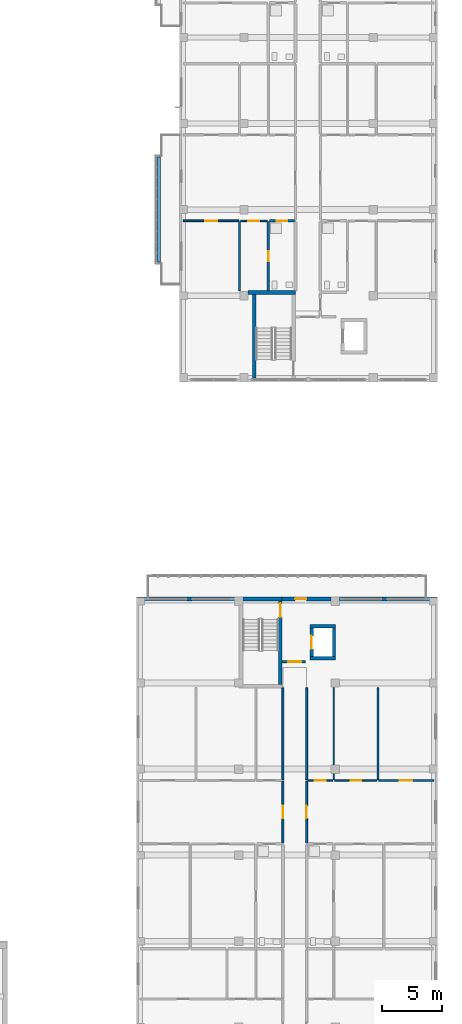
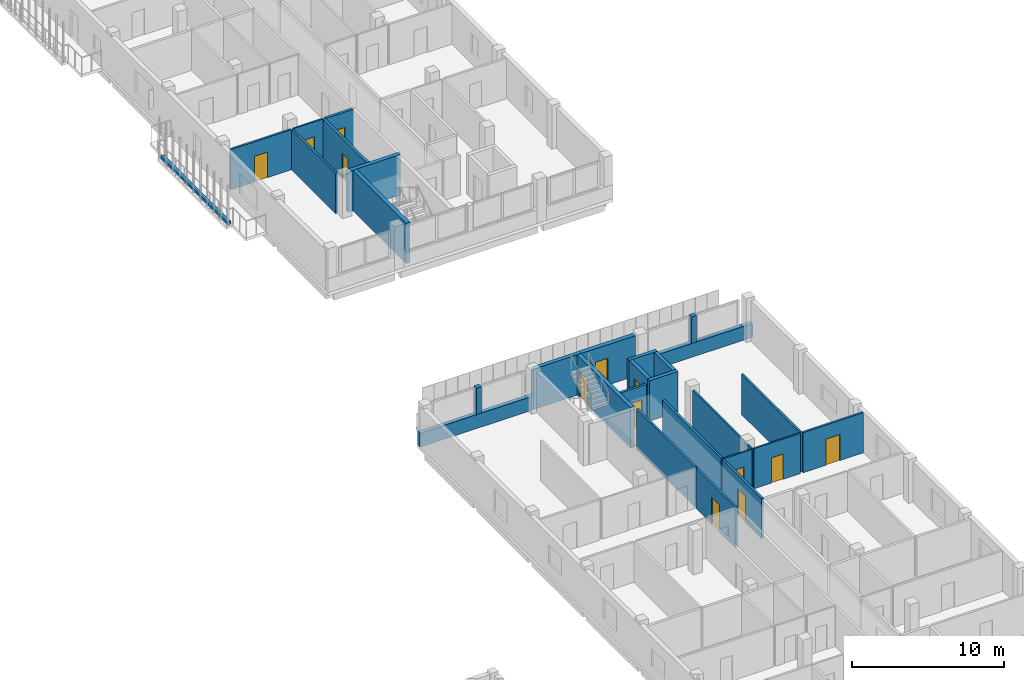
# One storey, part 48 of 73: 29 walls, 13 doors, 13 openings.
"""IFC4 building model written with IfcOpenShell, lengths in metres."""

import ifcopenshell
import ifcopenshell.guid

model = None  # the IFC model being written
_history = None  # IfcOwnerHistory: only IFC2X3 demands one
_inside = {}  # id of a spatial element -> (the spatial element, [elements in it])
_under = {}  # id of a project, library or spatial element -> (it, [spatial elements below it])
_declared = {}  # id of a project -> (the project, [libraries it declares])
_typed = {}  # id of a type object -> (the type object, [elements of that type])
_made_of = {}  # id of a material, layer set ... -> (it, [elements and type objects made of it])


def new_model(schema):
    """Start an empty IFC model of exactly this schema.

    Asked for "IFC4X3", IfcOpenShell would pick the latest addendum, in which some entities
    have other attributes; the version numbers below select the first issue.
    IFC2X3 requires an IfcOwnerHistory on every rooted entity: one is made here for all.
    """
    global model, _history
    if schema == "IFC4X3":
        model = ifcopenshell.file(schema_version=(4, 3, 0, 0))
    else:
        model = ifcopenshell.file(schema=schema)
    _inside.clear()
    _under.clear()
    _declared.clear()
    _typed.clear()
    _made_of.clear()
    _history = None
    if model.schema == "IFC2X3":
        org = make("IfcOrganization", Name="unknown")
        user = make(
            "IfcPersonAndOrganization",
            ThePerson=make("IfcPerson", FamilyName="unknown"),
            TheOrganization=org,
        )
        app = make(
            "IfcApplication",
            ApplicationDeveloper=org,
            Version="unknown",
            ApplicationFullName="unknown",
            ApplicationIdentifier="unknown",
        )
        _history = make(
            "IfcOwnerHistory",
            OwningUser=user,
            OwningApplication=app,
            ChangeAction="ADDED",
            CreationDate=0,
        )
    return model


def make(cls, **values):
    """One entity of the class cls with the attributes given. An attribute that is None is left unset."""
    return model.create_entity(
        cls, **{name: value for name, value in values.items() if value is not None}
    )


def rooted(cls, **values):
    """An entity with a GlobalId (a new one), such as an element, a storey or a relation."""
    return make(cls, GlobalId=ifcopenshell.guid.new(), OwnerHistory=_history, **values)


def si_unit(unit_type, name, prefix=None):
    """IfcSIUnit, for example si_unit("LENGTHUNIT", "METRE", prefix="MILLI")."""
    return make("IfcSIUnit", UnitType=unit_type, Prefix=prefix, Name=name)


def derived_unit(unit_type, elements):
    """IfcDerivedUnit: a product of units, each with its exponent."""
    return make(
        "IfcDerivedUnit",
        Elements=[
            make("IfcDerivedUnitElement", Unit=unit, Exponent=power)
            for unit, power in elements
        ],
        UnitType=unit_type,
    )


def assignment(units):
    """IfcUnitAssignment: the units of a project."""
    return None if units is None else make("IfcUnitAssignment", Units=units)


def point(xyz):
    """IfcCartesianPoint."""
    return None if xyz is None else make("IfcCartesianPoint", Coordinates=xyz)


def direction(xyz):
    """IfcDirection."""
    return None if xyz is None else make("IfcDirection", DirectionRatios=xyz)


def frame(location, z_axis=None, x_axis=None):
    """IfcAxis2Placement3D, a coordinate frame: its origin and axes. An axis left out is left unset."""
    return make(
        "IfcAxis2Placement3D",
        Location=point(location),
        Axis=direction(z_axis),
        RefDirection=direction(x_axis),
    )


def frame_2d(location, x_axis=None):
    """IfcAxis2Placement2D, a coordinate frame in the plane: its origin and x axis."""
    return make(
        "IfcAxis2Placement2D", Location=point(location), RefDirection=direction(x_axis)
    )


def origin():
    """The frame at (0, 0, 0) with its axes left unset."""
    return frame((0.0, 0.0, 0.0))


def place(relative_to, where):
    """IfcLocalPlacement: puts the frame where relative to a parent placement (None: the world)."""
    return make(
        "IfcLocalPlacement", PlacementRelTo=relative_to, RelativePlacement=where
    )


def context(
    kind, dimensions, precision=None, world=None, true_north=None, identifier=None
):
    """IfcGeometricRepresentationContext, for example the 3D "Model" context."""
    return make(
        "IfcGeometricRepresentationContext",
        ContextIdentifier=identifier,
        ContextType=kind,
        CoordinateSpaceDimension=dimensions,
        Precision=precision,
        WorldCoordinateSystem=world,
        TrueNorth=true_north,
    )


def subcontext(parent, identifier, kind, view, scale=None):
    """IfcGeometricRepresentationSubContext, for example "Body" below "Model"."""
    return make(
        "IfcGeometricRepresentationSubContext",
        ContextIdentifier=identifier,
        ContextType=kind,
        ParentContext=parent,
        TargetScale=scale,
        TargetView=view,
    )


def project(units=None, contexts=None):
    """IfcProject with its units and contexts."""
    return rooted(
        "IfcProject",
        Name="project",
        RepresentationContexts=contexts,
        UnitsInContext=assignment(units),
    )


def spatial(cls, under=None, at=None, **own):
    """A site, building, storey or space (cls), placed at a placement, below another one or the project."""
    s = rooted(cls, ObjectPlacement=at, **own)
    if under is not None:
        _under.setdefault(under.id(), (under, []))[1].append(s)
    return s


def profile(cls, at=None, kind="AREA", **sizes):
    """A parametric profile (cls). Its sizes go by their IFC names, for example OverallWidth=200.0."""
    return make(cls, ProfileType=kind, Position=at, **sizes)


def rectangle(**sizes):
    """IfcRectangleProfileDef."""
    return profile("IfcRectangleProfileDef", **sizes)


def extrude(swept, where, along, depth):
    """IfcExtrudedAreaSolid: the profile swept, set in the frame where, extruded along a direction by depth."""
    return make(
        "IfcExtrudedAreaSolid",
        SweptArea=swept,
        Position=where,
        ExtrudedDirection=direction(along),
        Depth=depth,
    )


def shape(context_of_items, identifier, shape_type, items):
    """IfcShapeRepresentation: the items that make up one representation, for example the "Body"."""
    return make(
        "IfcShapeRepresentation",
        ContextOfItems=context_of_items,
        RepresentationIdentifier=identifier,
        RepresentationType=shape_type,
        Items=items,
    )


def material(Name=None, Category=None):
    """IfcMaterial."""
    return make("IfcMaterial", Name=Name, Category=Category)


def layer(
    of_material, thickness, ventilated=None, Name=None, Category=None, Priority=None
):
    """IfcMaterialLayer: one layer of a wall or slab, of a material (None: an air gap)."""
    return make(
        "IfcMaterialLayer",
        Material=of_material,
        LayerThickness=thickness,
        IsVentilated=ventilated,
        Name=Name,
        Category=Category,
        Priority=Priority,
    )


def layer_set(layers, Name=None):
    """IfcMaterialLayerSet."""
    return make("IfcMaterialLayerSet", MaterialLayers=layers, LayerSetName=Name)


def made_of(thing, what):
    """Note that an element or type object is made of a material, layer set ...; save() writes the relation."""
    if what is not None:
        _made_of.setdefault(what.id(), (what, []))[1].append(thing)
    return thing


def type_object(cls, material=None, **own):
    """A type object (cls), such as IfcWallType, which elements share."""
    return made_of(rooted(cls, **own), material)


def element(
    cls,
    number,
    at=None,
    inside=None,
    cuts=None,
    type_object=None,
    material=None,
    context=None,
    identifier="Body",
    shape_type=None,
    held_by="IfcProductDefinitionShape",
    body=None,
    shapes=None,
    **own,
):
    """One element of the class cls, such as IfcWall. Its Tag is "e" and its number.

    at: its placement. inside: the storey or other place that contains it. cuts: it is an
    opening in that element (IfcRelVoidsElement). A single representation is given by context,
    identifier, shape_type and body (its items); several are given by shapes. held_by: the class
    of the entity that holds the representations. save() writes the other relations.
    """
    e = rooted(cls, Tag="e%d" % number, ObjectPlacement=at, **own)
    if body is not None:
        shapes = [shape(context, identifier, shape_type, body)]
    if shapes is not None:
        e.Representation = make(held_by, Representations=shapes)
    if inside is not None:
        _inside.setdefault(inside.id(), (inside, []))[1].append(e)
    if cuts is not None:
        rooted(
            "IfcRelVoidsElement", RelatingBuildingElement=cuts, RelatedOpeningElement=e
        )
    if type_object is not None:
        _typed.setdefault(type_object.id(), (type_object, []))[1].append(e)
    return made_of(e, material)


def fill(opening, filler):
    """IfcRelFillsElement: the door or window that sits in an opening."""
    return rooted(
        "IfcRelFillsElement",
        RelatingOpeningElement=opening,
        RelatedBuildingElement=filler,
    )


def aggregate(whole, parts):
    """IfcRelAggregates: a whole, such as a stair, and the parts it consists of."""
    return rooted("IfcRelAggregates", RelatingObject=whole, RelatedObjects=parts)


def save(model, path):
    """Write the relations noted so far, then the file.

    IfcRelAggregates (storeys below a building ...), IfcRelContainedInSpatialStructure (elements
    in a storey), IfcRelDefinesByType, IfcRelAssociatesMaterial and IfcRelDeclares: one each for
    every whole, place, type object, material and project.
    """
    for whole, parts in _under.values():
        aggregate(whole, parts)
    for where, things in _inside.values():
        rooted(
            "IfcRelContainedInSpatialStructure",
            RelatedElements=things,
            RelatingStructure=where,
        )
    for kind, things in _typed.values():
        rooted("IfcRelDefinesByType", RelatedObjects=things, RelatingType=kind)
    for what, things in _made_of.values():
        rooted("IfcRelAssociatesMaterial", RelatedObjects=things, RelatingMaterial=what)
    for by, libraries in _declared.values():
        rooted("IfcRelDeclares", RelatingContext=by, RelatedDefinitions=libraries)
    model.write(path)


model = new_model("IFC4")

# Units and contexts
model_context = context("Model", 3, precision=1e-05, world=origin(), true_north=direction((0.0, 1.0)))
body_context = subcontext(model_context, "Body", "Model", "MODEL_VIEW")
ifc_project = project(units=[si_unit("LENGTHUNIT", "METRE"), si_unit("AREAUNIT", "SQUARE_METRE"), si_unit("VOLUMEUNIT", "CUBIC_METRE"), si_unit("PLANEANGLEUNIT", "RADIAN"), si_unit("MASSUNIT", "GRAM", prefix="KILO"), derived_unit("THERMALTRANSMITTANCEUNIT", [(si_unit("MASSUNIT", "GRAM", prefix="KILO"), 1), (si_unit("TIMEUNIT", "SECOND"), -3), (si_unit("THERMODYNAMICTEMPERATUREUNIT", "KELVIN"), -1)])], contexts=[model_context])

# Site, building, storey
site_placement = place(None, origin())
site = spatial("IfcSite", under=ifc_project, at=site_placement, CompositionType="ELEMENT")
building_placement = place(site_placement, origin())
building = spatial("IfcBuilding", under=site, at=building_placement, Name="Ochrekiln Boulevard Commons", CompositionType="ELEMENT")
storey_placement = place(building_placement, frame((0.0, 0.0, 8.574951171875)))
storey = spatial("IfcBuildingStorey", under=building, at=storey_placement, Name="L02", CompositionType="ELEMENT", Elevation=8.574951171875)

# Walls
ifc_material_1 = material(Name="Desert ochre clinker brick masonry ASTM C216 Grade SW", Category="masonry")
ifc_layer_1 = layer(ifc_material_1, 0.330078125)
ifc_layer_set_1 = layer_set([ifc_layer_1], Name="Desert ochre clinker brick masonry ASTM C216 Grade SW")
wall_type_1 = type_object("IfcWallType", Name="WL-EXT-OCHRE-330", PredefinedType="SOLIDWALL", material=ifc_layer_set_1)
wall_1_placement = place(storey_placement, frame((151.8701171875, 50.235107421875, 1.110107421875), z_axis=(0.0, 0.0, 1.0), x_axis=(1.0, 0.0, 0.0)))
element("IfcWall", 1, at=wall_1_placement, inside=storey, type_object=wall_type_1, Name="Block C L02 Courtyard Gable Mullion Pier", PredefinedType="SOLIDWALL", context=body_context, shape_type="SweptSolid", body=[
    extrude(rectangle(XDim=0.35986328125, YDim=0.330078125, at=frame_2d((0.179931640625, 0.0))), origin(), (0.0, 0.0, 1.0), 2.1298828125),
])
wall_2_placement = place(storey_placement, frame((168.169921875, 50.235107421875, 1.110107421875), z_axis=(0.0, 0.0, 1.0), x_axis=(1.0, 0.0, 0.0)))
element("IfcWall", 2, at=wall_2_placement, inside=storey, type_object=wall_type_1, Name="Block C L02 Courtyard Gable Mullion Pier", PredefinedType="SOLIDWALL", context=body_context, shape_type="SweptSolid", body=[
    extrude(rectangle(XDim=0.360107421875, YDim=0.330078125, at=frame_2d((0.18017578125, 0.0))), origin(), (0.0, 0.0, 1.0), 2.1298828125),
])

# Wall, opening, door
wall_3_placement = place(storey_placement, frame((159.800048828125, 50.235107421875, 0.0), z_axis=(0.0, 0.0, 1.0), x_axis=(1.0, 0.0, 0.0)))
wall_3 = element("IfcWall", 3, at=wall_3_placement, inside=storey, type_object=wall_type_1, Name="Block C L02 North Balcony Door Wall", PredefinedType="SOLIDWALL", context=body_context, shape_type="SweptSolid", body=[
    extrude(rectangle(XDim=4.099853515625, YDim=0.330078125, at=frame_2d((2.0498046875, 0.0))), origin(), (0.0, 0.0, 1.0), 3.239990234375),
])
opening_1_placement = place(wall_3_placement, frame((1.074951171875, 0.0, 0.0)))
opening_1 = element("IfcOpeningElement", 4, at=opening_1_placement, cuts=wall_3, Name="Opening D-L02-CBL", PredefinedType="OPENING", context=body_context, shape_type="SweptSolid", body=[
    extrude(rectangle(XDim=0.949951171875, YDim=2.14990234375, at=frame_2d((0.47509765625, 1.074951171875))), frame((0.0, 0.175048828125, 0.0), z_axis=(0.0, -1.0, 0.0), x_axis=(1.0, 0.0, 0.0)), (0.0, 0.0, 1.0), 0.35009765625),
])
ifc_material_2 = material(Name="Thermally broken aluminium-clad oak frame", Category="aluminium")
door_type_1 = type_object("IfcDoorType", Name="DR-EXT-BAL-095", OperationType="NOTDEFINED", PredefinedType="DOOR", material=ifc_material_2)
door_1_placement = place(opening_1_placement, origin())
door_1 = element("IfcDoor", 5, at=door_1_placement, inside=storey, type_object=door_type_1, Name="Block C L02 North Courtyard Balcony Door", OperationType="SINGLE_SWING_LEFT", OverallHeight=2.14990234375, OverallWidth=0.949951171875, PredefinedType="DOOR", context=body_context, shape_type="SweptSolid", body=[
    extrude(rectangle(XDim=0.949951171875, YDim=2.14990234375, at=frame_2d((0.47509765625, 1.074951171875))), frame((0.0, 0.02490234375, 0.0), z_axis=(0.0, -1.0, 0.0), x_axis=(1.0, 0.0, 0.0)), (0.0, 0.0, 1.0), 0.050048828125),
])
fill(opening_1, door_1)

# Walls
wall_4_placement = place(storey_placement, frame((147.60009765625, 50.235107421875, 0.0), z_axis=(0.0, 0.0, 1.0), x_axis=(1.0, 0.0, 0.0)))
element("IfcWall", 6, at=wall_4_placement, inside=storey, type_object=wall_type_1, Name="Block C L02 Courtyard Gable Sill Wall L", PredefinedType="SOLIDWALL", context=body_context, shape_type="SweptSolid", body=[
    extrude(rectangle(XDim=8.599853515625, YDim=0.330078125, at=frame_2d((4.2998046875, 0.0))), origin(), (0.0, 0.0, 1.0), 1.110107421875),
])
wall_5_placement = place(storey_placement, frame((164.60009765625, 50.235107421875, 0.0), z_axis=(0.0, 0.0, 1.0), x_axis=(1.0, 0.0, 0.0)))
element("IfcWall", 7, at=wall_5_placement, inside=storey, type_object=wall_type_1, Name="Block C L02 Courtyard Gable Sill Wall R", PredefinedType="SOLIDWALL", context=body_context, shape_type="SweptSolid", body=[
    extrude(rectangle(XDim=8.199951171875, YDim=0.330078125, at=frame_2d((4.10009765625, 0.0))), origin(), (0.0, 0.0, 1.0), 1.110107421875),
])

# Wall, opening, door
ifc_material_3 = material(Name="Moisture-resistant cementitious tile backer wall")
ifc_layer_2 = layer(ifc_material_3, 0.199951171875)
ifc_layer_set_2 = layer_set([ifc_layer_2], Name="Moisture-resistant cementitious tile backer wall")
wall_type_2 = type_object("IfcWallType", Name="WL-PLM-200", PredefinedType="PLUMBINGWALL", material=ifc_layer_set_2)
wall_6_placement = place(storey_placement, frame((158.719970703125, 81.864990234375, 0.0), z_axis=(0.0, 0.0, 1.0), x_axis=(1.0, 0.0, 0.0)))
wall_6 = element("IfcWall", 8, at=wall_6_placement, inside=storey, type_object=wall_type_2, Name="L02 Interior Wall W-PW200", PredefinedType="PLUMBINGWALL", context=body_context, shape_type="SweptSolid", body=[
    extrude(rectangle(XDim=2.10693359375, YDim=0.199951171875, at=frame_2d((1.053466796875, 0.0))), origin(), (0.0, 0.0, 1.0), 3.219970703125),
])
opening_2_placement = place(wall_6_placement, frame((0.6201171875, 0.0, 0.0)))
opening_2 = element("IfcOpeningElement", 9, at=opening_2_placement, cuts=wall_6, Name="Opening D-L02-343", PredefinedType="OPENING", context=body_context, shape_type="SweptSolid", body=[
    extrude(rectangle(XDim=0.860107421875, YDim=2.0, at=frame_2d((0.43017578125, 1.0))), frame((0.0, 0.10986328125, 0.0), z_axis=(0.0, -1.0, 0.0), x_axis=(1.0, 0.0, 0.0)), (0.0, 0.0, 1.0), 0.219970703125),
])
ifc_material_4 = material(Name="Solid core architectural oak door leaf")
door_type_2 = type_object("IfcDoorType", Name="DR-INT-BTH-086", OperationType="NOTDEFINED", PredefinedType="DOOR", material=ifc_material_4)
door_2_placement = place(opening_2_placement, frame((0.860107421875, 0.0, 0.0), z_axis=(0.0, 0.0, 1.0), x_axis=(-1.0, 0.0, 0.0)))
door_2 = element("IfcDoor", 10, at=door_2_placement, inside=storey, type_object=door_type_2, Name="L02 Interior Door to Accessible Apartment Bathroom", OperationType="SINGLE_SWING_LEFT", OverallHeight=2.0, OverallWidth=0.860107421875, PredefinedType="DOOR", context=body_context, shape_type="SweptSolid", body=[
    extrude(rectangle(XDim=0.860107421875, YDim=2.0, at=frame_2d((0.43017578125, 1.0))), frame((0.0, 0.02490234375, 0.0), z_axis=(0.0, -1.0, 0.0), x_axis=(1.0, 0.0, 0.0)), (0.0, 0.0, 1.0), 0.050048828125),
])
fill(opening_2, door_2)

wall_7_placement = place(storey_placement, frame((158.639892578125, 76.0, 0.0), z_axis=(0.0, 0.0, 1.0), x_axis=(0.0, 1.0, 0.0)))
wall_7 = element("IfcWall", 11, at=wall_7_placement, inside=storey, type_object=wall_type_2, Name="L02 Interior Wall W-PW200", PredefinedType="PLUMBINGWALL", context=body_context, shape_type="SweptSolid", body=[
    extrude(rectangle(XDim=5.804931640625, YDim=0.199951171875, at=frame_2d((2.90234375, 0.0))), origin(), (0.0, 0.0, 1.0), 3.219970703125),
])
opening_3_placement = place(wall_7_placement, frame((2.467041015625, 0.0, 0.0)))
opening_3 = element("IfcOpeningElement", 12, at=opening_3_placement, cuts=wall_7, Name="Opening D-L02-349", PredefinedType="OPENING", context=body_context, shape_type="SweptSolid", body=[
    extrude(rectangle(XDim=0.85009765625, YDim=2.010009765625, at=frame_2d((0.425048828125, 1.0048828125))), frame((0.0, 0.10986328125, 0.0), z_axis=(0.0, -1.0, 0.0), x_axis=(1.0, 0.0, 0.0)), (0.0, 0.0, 1.0), 0.219970703125),
])
door_type_3 = type_object("IfcDoorType", Name="DR-INT-KIT-085", OperationType="NOTDEFINED", PredefinedType="DOOR", material=ifc_material_4)
door_3_placement = place(opening_3_placement, frame((0.85009765625, 0.0, 0.0), z_axis=(0.0, 0.0, 1.0), x_axis=(-1.0, 0.0, 0.0)))
door_3 = element("IfcDoor", 13, at=door_3_placement, inside=storey, type_object=door_type_3, Name="L02 Interior Door to Accessible Apartment Bathroom", OperationType="SINGLE_SWING_LEFT", OverallHeight=2.010009765625, OverallWidth=0.85009765625, PredefinedType="DOOR", context=body_context, shape_type="SweptSolid", body=[
    extrude(rectangle(XDim=0.85009765625, YDim=2.010009765625, at=frame_2d((0.425048828125, 1.0048828125))), frame((0.0, 0.02490234375, 0.0), z_axis=(0.0, -1.0, 0.0), x_axis=(1.0, 0.0, 0.0)), (0.0, 0.0, 1.0), 0.050048828125),
])
fill(opening_3, door_3)

# Wall
ifc_material_5 = material(Name="Glazed architectural terracotta ASTM C1405", Category="masonry")
ifc_layer_3 = layer(ifc_material_5, 0.25)
ifc_layer_set_3 = layer_set([ifc_layer_3], Name="Glazed architectural terracotta ASTM C1405")
wall_type_3 = type_object("IfcWallType", Name="WL-PLN-250", PredefinedType="PARAPET", material=ifc_layer_set_3)
wall_8_placement = place(storey_placement, frame((149.47998046875, 78.409912109375, 0.0), z_axis=(0.0, 0.0, 1.0), x_axis=(0.0, 1.0, 0.0)))
element("IfcWall", 14, at=wall_8_placement, inside=storey, type_object=wall_type_3, Name="Block B L02 Balcony Terracotta Planter Box 1", PredefinedType="PARAPET", context=body_context, shape_type="SweptSolid", body=[
    extrude(rectangle(XDim=8.780029296875, YDim=0.25, at=frame_2d((4.39013671875, 0.0))), origin(), (0.0, 0.0, 1.0), 0.22998046875),
])

# Wall, opening, door
ifc_material_6 = material(Name="Fire-rated Type X gypsum board on steel studs", Category="steel")
ifc_layer_4 = layer(ifc_material_6, 0.1650390625)
ifc_layer_set_4 = layer_set([ifc_layer_4], Name="Fire-rated Type X gypsum board on steel studs")
wall_type_4 = type_object("IfcWallType", Name="WL-PT-CORR-165", PredefinedType="PARTITIONING", material=ifc_layer_set_4)
wall_9_placement = place(storey_placement, frame((159.860107421875, 29.830078125, 0.0), z_axis=(0.0, 0.0, 1.0), x_axis=(0.0, 1.0, 0.0)))
wall_9 = element("IfcWall", 15, at=wall_9_placement, inside=storey, type_object=wall_type_4, Name="L02 Interior Wall W-PC165", PredefinedType="PARTITIONING", context=body_context, shape_type="SweptSolid", body=[
    extrude(rectangle(XDim=5.139892578125, YDim=0.1650390625, at=frame_2d((2.56982421875, 0.0))), origin(), (0.0, 0.0, 1.0), 3.219970703125),
])
opening_4_placement = place(wall_9_placement, frame((2.044921875, 0.0, 0.0)))
opening_4 = element("IfcOpeningElement", 16, at=opening_4_placement, cuts=wall_9, Name="Opening D-L02-369", PredefinedType="OPENING", context=body_context, shape_type="SweptSolid", body=[
    extrude(rectangle(XDim=1.050048828125, YDim=2.1298828125, at=frame_2d((0.52490234375, 1.06494140625))), frame((0.0, 0.092529296875, 0.0), z_axis=(0.0, -1.0, 0.0), x_axis=(1.0, 0.0, 0.0)), (0.0, 0.0, 1.0), 0.18505859375),
])
door_type_4 = type_object("IfcDoorType", Name="DR-INT-APT-105", OperationType="NOTDEFINED", PredefinedType="DOOR", material=ifc_material_4)
door_4_placement = place(opening_4_placement, origin())
door_4 = element("IfcDoor", 17, at=door_4_placement, inside=storey, type_object=door_type_4, Name="L02 Interior Door to Two-Bedroom Apartment Living Room", OperationType="SINGLE_SWING_LEFT", OverallHeight=2.1298828125, OverallWidth=1.050048828125, PredefinedType="DOOR", context=body_context, shape_type="SweptSolid", body=[
    extrude(rectangle(XDim=1.050048828125, YDim=2.1298828125, at=frame_2d((0.52490234375, 1.06494140625))), frame((0.0, 0.02490234375, 0.0), z_axis=(0.0, -1.0, 0.0), x_axis=(1.0, 0.0, 0.0)), (0.0, 0.0, 1.0), 0.050048828125),
])
fill(opening_4, door_4)

# Wall
wall_10_placement = place(storey_placement, frame((159.860107421875, 35.1298828125, 0.0), z_axis=(0.0, 0.0, 1.0), x_axis=(0.0, 1.0, 0.0)))
element("IfcWall", 18, at=wall_10_placement, inside=storey, type_object=wall_type_4, Name="L02 Interior Wall W-PC165", PredefinedType="PARTITIONING", context=body_context, shape_type="SweptSolid", body=[
    extrude(rectangle(XDim=7.670166015625, YDim=0.1650390625, at=frame_2d((3.8349609375, 0.0))), origin(), (0.0, 0.0, 1.0), 3.219970703125),
])

# Wall, opening, door
wall_11_placement = place(storey_placement, frame((161.840087890625, 29.830078125, 0.0), z_axis=(0.0, 0.0, 1.0), x_axis=(0.0, 1.0, 0.0)))
wall_11 = element("IfcWall", 19, at=wall_11_placement, inside=storey, type_object=wall_type_4, Name="L02 Interior Wall W-PC165", PredefinedType="PARTITIONING", context=body_context, shape_type="SweptSolid", body=[
    extrude(rectangle(XDim=5.139892578125, YDim=0.1650390625, at=frame_2d((2.56982421875, 0.0))), origin(), (0.0, 0.0, 1.0), 3.219970703125),
])
opening_5_placement = place(wall_11_placement, frame((2.044921875, 0.0, 0.0)))
opening_5 = element("IfcOpeningElement", 20, at=opening_5_placement, cuts=wall_11, Name="Opening D-L02-371", PredefinedType="OPENING", context=body_context, shape_type="SweptSolid", body=[
    extrude(rectangle(XDim=1.050048828125, YDim=2.1298828125, at=frame_2d((0.52490234375, 1.06494140625))), frame((0.0, 0.092529296875, 0.0), z_axis=(0.0, -1.0, 0.0), x_axis=(1.0, 0.0, 0.0)), (0.0, 0.0, 1.0), 0.18505859375),
])
door_5_placement = place(opening_5_placement, frame((1.050048828125, 0.0, 0.0), z_axis=(0.0, 0.0, 1.0), x_axis=(-1.0, 0.0, 0.0)))
door_5 = element("IfcDoor", 21, at=door_5_placement, inside=storey, type_object=door_type_4, Name="L02 Interior Door to Two-Bedroom Apartment Living Room", OperationType="SINGLE_SWING_LEFT", OverallHeight=2.1298828125, OverallWidth=1.050048828125, PredefinedType="DOOR", context=body_context, shape_type="SweptSolid", body=[
    extrude(rectangle(XDim=1.050048828125, YDim=2.1298828125, at=frame_2d((0.52490234375, 1.06494140625))), frame((0.0, 0.02490234375, 0.0), z_axis=(0.0, -1.0, 0.0), x_axis=(1.0, 0.0, 0.0)), (0.0, 0.0, 1.0), 0.050048828125),
])
fill(opening_5, door_5)

# Wall
wall_12_placement = place(storey_placement, frame((161.840087890625, 35.1298828125, 0.0), z_axis=(0.0, 0.0, 1.0), x_axis=(0.0, 1.0, 0.0)))
element("IfcWall", 22, at=wall_12_placement, inside=storey, type_object=wall_type_4, Name="L02 Interior Wall W-PC165", PredefinedType="PARTITIONING", context=body_context, shape_type="SweptSolid", body=[
    extrude(rectangle(XDim=7.670166015625, YDim=0.1650390625, at=frame_2d((3.8349609375, 0.0))), origin(), (0.0, 0.0, 1.0), 3.219970703125),
])

# Wall, opening, door
ifc_layer_5 = layer(ifc_material_6, 0.18994140625)
ifc_layer_set_5 = layer_set([ifc_layer_5], Name="Fire-rated Type X gypsum board on steel studs")
wall_type_5 = type_object("IfcWallType", Name="WL-PT-LBY-190", PredefinedType="PARTITIONING", material=ifc_layer_set_5)
wall_13_placement = place(storey_placement, frame((159.800048828125, 44.97998046875, 0.0), z_axis=(0.0, 0.0, 1.0), x_axis=(1.0, 0.0, 0.0)))
wall_13 = element("IfcWall", 23, at=wall_13_placement, inside=storey, type_object=wall_type_5, Name="L02 Interior Wall W-PL190", PredefinedType="PARTITIONING", context=body_context, shape_type="SweptSolid", body=[
    extrude(rectangle(XDim=1.949951171875, YDim=0.18994140625, at=frame_2d((0.97509765625, 0.0))), origin(), (0.0, 0.0, 1.0), 3.219970703125),
])
opening_6_placement = place(wall_13_placement, frame((0.5, 0.0, 0.0)))
opening_6 = element("IfcOpeningElement", 24, at=opening_6_placement, cuts=wall_13, Name="Opening D-L02-366", PredefinedType="OPENING", context=body_context, shape_type="SweptSolid", body=[
    extrude(rectangle(XDim=1.10009765625, YDim=2.1201171875, at=frame_2d((0.550048828125, 1.06005859375))), frame((0.0, 0.10498046875, 0.0), z_axis=(0.0, -1.0, 0.0), x_axis=(1.0, 0.0, 0.0)), (0.0, 0.0, 1.0), 0.2099609375),
])
ifc_material_7 = material(Name="Hollow metal fire-rated steel door assembly", Category="steel")
door_type_5 = type_object("IfcDoorType", Name="DR-LOBBY-60", OperationType="NOTDEFINED", PredefinedType="DOOR", material=ifc_material_7)
door_6_placement = place(opening_6_placement, origin())
door_6 = element("IfcDoor", 25, at=door_6_placement, inside=storey, type_object=door_type_5, Name="L02 Interior Door to Passenger Elevator Lobby", OperationType="SINGLE_SWING_RIGHT", OverallHeight=2.1201171875, OverallWidth=1.10009765625, PredefinedType="DOOR", context=body_context, shape_type="SweptSolid", body=[
    extrude(rectangle(XDim=1.10009765625, YDim=2.1201171875, at=frame_2d((0.550048828125, 1.06005859375))), frame((0.0, 0.02490234375, 0.0), z_axis=(0.0, -1.0, 0.0), x_axis=(1.0, 0.0, 0.0)), (0.0, 0.0, 1.0), 0.050048828125),
])
fill(opening_6, door_6)

ifc_layer_6 = layer(ifc_material_6, 0.1201171875)
ifc_layer_set_6 = layer_set([ifc_layer_6], Name="Fire-rated Type X gypsum board on steel studs")
wall_type_6 = type_object("IfcWallType", Name="WL-PT-LGT-120", PredefinedType="PARTITIONING", material=ifc_layer_set_6)
wall_14_placement = place(storey_placement, frame((156.31005859375, 81.864990234375, 0.0), z_axis=(0.0, 0.0, 1.0), x_axis=(1.0, 0.0, 0.0)))
wall_14 = element("IfcWall", 26, at=wall_14_placement, inside=storey, type_object=wall_type_6, Name="L02 Interior Wall W-PL120", PredefinedType="PARTITIONING", context=body_context, shape_type="SweptSolid", body=[
    extrude(rectangle(XDim=2.25, YDim=0.1201171875, at=frame_2d((1.125, 0.0))), origin(), (0.0, 0.0, 1.0), 3.219970703125),
])
opening_7_placement = place(wall_14_placement, frame((0.6650390625, 0.0, 0.0)))
opening_7 = element("IfcOpeningElement", 27, at=opening_7_placement, cuts=wall_14, Name="Opening D-L02-346", PredefinedType="OPENING", context=body_context, shape_type="SweptSolid", body=[
    extrude(rectangle(XDim=0.919921875, YDim=2.02001953125, at=frame_2d((0.4599609375, 1.010009765625))), frame((0.0, 0.070068359375, 0.0), z_axis=(0.0, -1.0, 0.0), x_axis=(1.0, 0.0, 0.0)), (0.0, 0.0, 1.0), 0.14013671875),
])
door_type_6 = type_object("IfcDoorType", Name="DR-INT-KIT-092", OperationType="NOTDEFINED", PredefinedType="DOOR", material=ifc_material_4)
door_7_placement = place(opening_7_placement, frame((0.919921875, 0.0, 0.0), z_axis=(0.0, 0.0, 1.0), x_axis=(-1.0, 0.0, 0.0)))
door_7 = element("IfcDoor", 28, at=door_7_placement, inside=storey, type_object=door_type_6, Name="L02 Interior Door to Apartment Walk-In Wardrobe", OperationType="SINGLE_SWING_RIGHT", OverallHeight=2.02001953125, OverallWidth=0.919921875, PredefinedType="DOOR", context=body_context, shape_type="SweptSolid", body=[
    extrude(rectangle(XDim=0.919921875, YDim=2.02001953125, at=frame_2d((0.4599609375, 1.010009765625))), frame((0.0, 0.02490234375, 0.0), z_axis=(0.0, -1.0, 0.0), x_axis=(1.0, 0.0, 0.0)), (0.0, 0.0, 1.0), 0.050048828125),
])
fill(opening_7, door_7)

wall_15_placement = place(storey_placement, frame((161.923095703125, 35.050048828125, 0.0), z_axis=(0.0, 0.0, 1.0), x_axis=(1.0, 0.0, 0.0)))
wall_15 = element("IfcWall", 29, at=wall_15_placement, inside=storey, type_object=wall_type_6, Name="L02 Interior Wall W-PL120", PredefinedType="PARTITIONING", context=body_context, shape_type="SweptSolid", body=[
    extrude(rectangle(XDim=2.10693359375, YDim=0.1201171875, at=frame_2d((1.053466796875, 0.0))), origin(), (0.0, 0.0, 1.0), 3.219970703125),
])
opening_8_placement = place(wall_15_placement, frame((0.616943359375, 0.0, 0.0)))
opening_8 = element("IfcOpeningElement", 30, at=opening_8_placement, cuts=wall_15, Name="Opening D-L02-391", PredefinedType="OPENING", context=body_context, shape_type="SweptSolid", body=[
    extrude(rectangle(XDim=0.8798828125, YDim=2.02001953125, at=frame_2d((0.43994140625, 1.010009765625))), frame((0.0, 0.070068359375, 0.0), z_axis=(0.0, -1.0, 0.0), x_axis=(1.0, 0.0, 0.0)), (0.0, 0.0, 1.0), 0.14013671875),
])
door_type_7 = type_object("IfcDoorType", Name="DR-INT-KIT-088", OperationType="NOTDEFINED", PredefinedType="DOOR", material=ifc_material_4)
door_8_placement = place(opening_8_placement, origin())
door_8 = element("IfcDoor", 31, at=door_8_placement, inside=storey, type_object=door_type_7, Name="L02 Interior Door to Apartment Kitchen", OperationType="SINGLE_SWING_LEFT", OverallHeight=2.02001953125, OverallWidth=0.8798828125, PredefinedType="DOOR", context=body_context, shape_type="SweptSolid", body=[
    extrude(rectangle(XDim=0.8798828125, YDim=2.02001953125, at=frame_2d((0.43994140625, 1.010009765625))), frame((0.0, 0.02490234375, 0.0), z_axis=(0.0, -1.0, 0.0), x_axis=(1.0, 0.0, 0.0)), (0.0, 0.0, 1.0), 0.050048828125),
])
fill(opening_8, door_8)

wall_16_placement = place(storey_placement, frame((164.18994140625, 35.050048828125, 0.0), z_axis=(0.0, 0.0, 1.0), x_axis=(1.0, 0.0, 0.0)))
wall_16 = element("IfcWall", 32, at=wall_16_placement, inside=storey, type_object=wall_type_6, Name="L02 Interior Wall W-PL120", PredefinedType="PARTITIONING", context=body_context, shape_type="SweptSolid", body=[
    extrude(rectangle(XDim=3.537109375, YDim=0.1201171875, at=frame_2d((1.7685546875, 0.0))), origin(), (0.0, 0.0, 1.0), 3.219970703125),
])
opening_9_placement = place(wall_16_placement, frame((1.3291015625, 0.0, 0.0)))
opening_9 = element("IfcOpeningElement", 33, at=opening_9_placement, cuts=wall_16, Name="Opening D-L02-395", PredefinedType="OPENING", context=body_context, shape_type="SweptSolid", body=[
    extrude(rectangle(XDim=0.8798828125, YDim=2.02001953125, at=frame_2d((0.43994140625, 1.010009765625))), frame((0.0, 0.070068359375, 0.0), z_axis=(0.0, -1.0, 0.0), x_axis=(1.0, 0.0, 0.0)), (0.0, 0.0, 1.0), 0.14013671875),
])
door_9_placement = place(opening_9_placement, origin())
door_9 = element("IfcDoor", 34, at=door_9_placement, inside=storey, type_object=door_type_7, Name="L02 Interior Door to Apartment Walk-In Wardrobe", OperationType="SINGLE_SWING_LEFT", OverallHeight=2.02001953125, OverallWidth=0.8798828125, PredefinedType="DOOR", context=body_context, shape_type="SweptSolid", body=[
    extrude(rectangle(XDim=0.8798828125, YDim=2.02001953125, at=frame_2d((0.43994140625, 1.010009765625))), frame((0.0, 0.02490234375, 0.0), z_axis=(0.0, -1.0, 0.0), x_axis=(1.0, 0.0, 0.0)), (0.0, 0.0, 1.0), 0.050048828125),
])
fill(opening_9, door_9)

# Wall
wall_17_placement = place(storey_placement, frame((164.110107421875, 35.110107421875, 0.0), z_axis=(0.0, 0.0, 1.0), x_axis=(0.0, 1.0, 0.0)))
element("IfcWall", 35, at=wall_17_placement, inside=storey, type_object=wall_type_6, Name="L02 Interior Wall W-PL120", PredefinedType="PARTITIONING", context=body_context, shape_type="SweptSolid", body=[
    extrude(rectangle(XDim=7.68994140625, YDim=0.1201171875, at=frame_2d((3.844970703125, 0.0))), origin(), (0.0, 0.0, 1.0), 3.219970703125),
])

# Wall, opening, door
ifc_layer_7 = layer(ifc_material_6, 0.14990234375)
ifc_layer_set_7 = layer_set([ifc_layer_7], Name="Fire-rated Type X gypsum board on steel studs")
wall_type_7 = type_object("IfcWallType", Name="WL-PT-STD-150", PredefinedType="PARTITIONING", material=ifc_layer_set_7)
wall_18_placement = place(storey_placement, frame((151.5400390625, 81.864990234375, 0.0), z_axis=(0.0, 0.0, 1.0), x_axis=(1.0, 0.0, 0.0)))
wall_18 = element("IfcWall", 36, at=wall_18_placement, inside=storey, type_object=wall_type_7, Name="L02 Interior Wall W-PS150", PredefinedType="PARTITIONING", context=body_context, shape_type="SweptSolid", body=[
    extrude(rectangle(XDim=4.60986328125, YDim=0.14990234375, at=frame_2d((2.304931640625, 0.0))), origin(), (0.0, 0.0, 1.0), 3.219970703125),
])
opening_10_placement = place(wall_18_placement, frame((1.81005859375, 0.0, 0.0)))
opening_10 = element("IfcOpeningElement", 37, at=opening_10_placement, cuts=wall_18, Name="Opening D-L02-345", PredefinedType="OPENING", context=body_context, shape_type="SweptSolid", body=[
    extrude(rectangle(XDim=1.0, YDim=2.06005859375, at=frame_2d((0.5, 1.030029296875))), frame((0.0, 0.0849609375, 0.0), z_axis=(0.0, -1.0, 0.0), x_axis=(1.0, 0.0, 0.0)), (0.0, 0.0, 1.0), 0.169921875),
])
door_type_8 = type_object("IfcDoorType", Name="DR-INT-BED-100", OperationType="NOTDEFINED", PredefinedType="DOOR", material=ifc_material_4)
door_10_placement = place(opening_10_placement, frame((1.0, 0.0, 0.0), z_axis=(0.0, 0.0, 1.0), x_axis=(-1.0, 0.0, 0.0)))
door_10 = element("IfcDoor", 38, at=door_10_placement, inside=storey, type_object=door_type_8, Name="L02 Interior Door to Primary Apartment Bedroom", OperationType="SINGLE_SWING_LEFT", OverallHeight=2.06005859375, OverallWidth=1.0, PredefinedType="DOOR", context=body_context, shape_type="SweptSolid", body=[
    extrude(rectangle(XDim=1.0, YDim=2.06005859375, at=frame_2d((0.5, 1.030029296875))), frame((0.0, 0.02490234375, 0.0), z_axis=(0.0, -1.0, 0.0), x_axis=(1.0, 0.0, 0.0)), (0.0, 0.0, 1.0), 0.050048828125),
])
fill(opening_10, door_10)

# Wall
wall_19_placement = place(storey_placement, frame((156.22998046875, 76.0, 0.0), z_axis=(0.0, 0.0, 1.0), x_axis=(0.0, 1.0, 0.0)))
element("IfcWall", 39, at=wall_19_placement, inside=storey, type_object=wall_type_7, Name="L02 Interior Wall W-PS150", PredefinedType="PARTITIONING", context=body_context, shape_type="SweptSolid", body=[
    extrude(rectangle(XDim=5.804931640625, YDim=0.14990234375, at=frame_2d((2.90234375, 0.0))), origin(), (0.0, 0.0, 1.0), 3.219970703125),
])

# Wall, opening, door
wall_20_placement = place(storey_placement, frame((167.886962890625, 35.050048828125, 0.0), z_axis=(0.0, 0.0, 1.0), x_axis=(1.0, 0.0, 0.0)))
wall_20 = element("IfcWall", 40, at=wall_20_placement, inside=storey, type_object=wall_type_7, Name="L02 Interior Wall W-PS150", PredefinedType="PARTITIONING", context=body_context, shape_type="SweptSolid", body=[
    extrude(rectangle(XDim=4.5830078125, YDim=0.14990234375, at=frame_2d((2.29150390625, 0.0))), origin(), (0.0, 0.0, 1.0), 3.219970703125),
])
opening_11_placement = place(wall_20_placement, frame((1.760986328125, 0.0, 0.0)))
opening_11 = element("IfcOpeningElement", 41, at=opening_11_placement, cuts=wall_20, Name="Opening D-L02-394", PredefinedType="OPENING", context=body_context, shape_type="SweptSolid", body=[
    extrude(rectangle(XDim=1.0400390625, YDim=2.080078125, at=frame_2d((0.52001953125, 1.0400390625))), frame((0.0, 0.0849609375, 0.0), z_axis=(0.0, -1.0, 0.0), x_axis=(1.0, 0.0, 0.0)), (0.0, 0.0, 1.0), 0.169921875),
])
door_type_9 = type_object("IfcDoorType", Name="DR-INT-BED-104", OperationType="NOTDEFINED", PredefinedType="DOOR", material=ifc_material_4)
door_11_placement = place(opening_11_placement, origin())
door_11 = element("IfcDoor", 42, at=door_11_placement, inside=storey, type_object=door_type_9, Name="L02 Interior Door to Secondary Apartment Bedroom", OperationType="SINGLE_SWING_RIGHT", OverallHeight=2.080078125, OverallWidth=1.0400390625, PredefinedType="DOOR", context=body_context, shape_type="SweptSolid", body=[
    extrude(rectangle(XDim=1.0400390625, YDim=2.080078125, at=frame_2d((0.52001953125, 1.0400390625))), frame((0.0, 0.02490234375, 0.0), z_axis=(0.0, -1.0, 0.0), x_axis=(1.0, 0.0, 0.0)), (0.0, 0.0, 1.0), 0.050048828125),
])
fill(opening_11, door_11)

# Walls
wall_21_placement = place(storey_placement, frame((167.806884765625, 35.125, 0.0), z_axis=(0.0, 0.0, 1.0), x_axis=(0.0, 1.0, 0.0)))
element("IfcWall", 43, at=wall_21_placement, inside=storey, type_object=wall_type_7, Name="L02 Interior Wall W-PS150", PredefinedType="PARTITIONING", context=body_context, shape_type="SweptSolid", body=[
    extrude(rectangle(XDim=7.675048828125, YDim=0.14990234375, at=frame_2d((3.83740234375, 0.0))), origin(), (0.0, 0.0, 1.0), 3.219970703125),
])
ifc_material_8 = material(Name="Concrete C40/50", Category="concrete")
ifc_layer_8 = layer(ifc_material_8, 0.27490234375)
ifc_layer_set_8 = layer_set([ifc_layer_8], Name="Concrete C40/50")
wall_type_8 = type_object("IfcWallType", Name="WL-SH-275", PredefinedType="SHEAR", material=ifc_layer_set_8)
for number, where, z_axis, x_axis, name in (
    (44, (162.125, 45.262451171875, 0.0), (0.0, 0.0, 1.0), (1.0, 0.0, 0.0), "Elevator LP-C2 L02 Hoistway Shear Wall"),
    (45, (162.125, 47.9375, 0.0), (0.0, 0.0, 1.0), (1.0, 0.0, 0.0), "Elevator LP-C2 L02 Hoistway Shear Wall"),
):
    element("IfcWall", number, at=place(storey_placement, frame(where, z_axis=z_axis, x_axis=x_axis)), inside=storey, type_object=wall_type_8, Name=name, PredefinedType="SHEAR", context=body_context, shape_type="SweptSolid", body=[
        extrude(rectangle(XDim=2.14990234375, YDim=0.27490234375, at=frame_2d((1.074951171875, 0.0))), origin(), (0.0, 0.0, 1.0), 3.239990234375),
    ])

# Wall, opening, door
wall_22_placement = place(storey_placement, frame((162.262451171875, 45.39990234375, 0.0), z_axis=(0.0, 0.0, 1.0), x_axis=(0.0, 1.0, 0.0)))
wall_22 = element("IfcWall", 46, at=wall_22_placement, inside=storey, type_object=wall_type_8, Name="Elevator LP-C2 L02 Hoistway Shear Wall", PredefinedType="SHEAR", context=body_context, shape_type="SweptSolid", body=[
    extrude(rectangle(XDim=2.400146484375, YDim=0.27490234375, at=frame_2d((1.2001953125, 0.0))), origin(), (0.0, 0.0, 1.0), 3.239990234375),
])
opening_12_placement = place(wall_22_placement, frame((0.64990234375, 0.0, 0.0)))
opening_12 = element("IfcOpeningElement", 47, at=opening_12_placement, cuts=wall_22, Name="Opening LD-LP-C2-L02", PredefinedType="OPENING", context=body_context, shape_type="SweptSolid", body=[
    extrude(rectangle(XDim=1.10009765625, YDim=2.14990234375, at=frame_2d((0.550048828125, 1.074951171875))), frame((0.0, 0.1474609375, 0.0), z_axis=(0.0, -1.0, 0.0), x_axis=(1.0, 0.0, 0.0)), (0.0, 0.0, 1.0), 0.294921875),
])
ifc_material_9 = material(Name="Brushed stainless steel 316 elevator cab and doors", Category="steel")
door_type_10 = type_object("IfcDoorType", Name="DR-LIFT-LD90", OperationType="SLIDING_TO_LEFT", PredefinedType="DOOR", material=ifc_material_9)
door_12_placement = place(opening_12_placement, origin())
door_12 = element("IfcDoor", 48, at=door_12_placement, inside=storey, type_object=door_type_10, Name="Elevator LP-C2 L02 Sliding Landing Door LD-LP-C2-L02", OperationType="SLIDING_TO_LEFT", OverallHeight=2.14990234375, OverallWidth=1.10009765625, PredefinedType="DOOR", context=body_context, shape_type="SweptSolid", body=[
    extrude(rectangle(XDim=1.10009765625, YDim=2.14990234375, at=frame_2d((0.550048828125, 1.074951171875))), frame((0.0, 0.02490234375, 0.0), z_axis=(0.0, -1.0, 0.0), x_axis=(1.0, 0.0, 0.0)), (0.0, 0.0, 1.0), 0.050048828125),
])
fill(opening_12, door_12)

# Walls
wall_23_placement = place(storey_placement, frame((164.137451171875, 45.39990234375, 0.0), z_axis=(0.0, 0.0, 1.0), x_axis=(0.0, 1.0, 0.0)))
element("IfcWall", 49, at=wall_23_placement, inside=storey, type_object=wall_type_8, Name="Elevator LP-C2 L02 Hoistway Shear Wall", PredefinedType="SHEAR", context=body_context, shape_type="SweptSolid", body=[
    extrude(rectangle(XDim=2.400146484375, YDim=0.27490234375, at=frame_2d((1.2001953125, 0.0))), origin(), (0.0, 0.0, 1.0), 3.239990234375),
])
ifc_layer_9 = layer(ifc_material_8, 0.300048828125)
ifc_layer_set_9 = layer_set([ifc_layer_9], Name="Concrete C40/50")
wall_type_9 = type_object("IfcWallType", Name="WL-SH-300", PredefinedType="SHEAR", material=ifc_layer_set_9)
wall_24_placement = place(storey_placement, frame((156.949951171875, 75.8701171875, 0.0), z_axis=(0.0, 0.0, 1.0), x_axis=(1.0, 0.0, 0.0)))
element("IfcWall", 50, at=wall_24_placement, inside=storey, type_object=wall_type_9, Name="Stair ST-B1 L02 Core Shear Wall N", PredefinedType="SHEAR", context=body_context, shape_type="SweptSolid", body=[
    extrude(rectangle(XDim=3.949951171875, YDim=0.300048828125, at=frame_2d((1.97509765625, 0.0))), origin(), (0.0, 0.0, 1.0), 3.239990234375),
])
wall_25_placement = place(storey_placement, frame((157.449951171875, 68.719970703125, 0.0), z_axis=(0.0, 0.0, 1.0), x_axis=(0.0, 1.0, 0.0)))
element("IfcWall", 51, at=wall_25_placement, inside=storey, type_object=wall_type_9, Name="Stair ST-B1 L02 Core Shear Wall W", PredefinedType="SHEAR", context=body_context, shape_type="SweptSolid", body=[
    extrude(rectangle(XDim=7.0, YDim=0.300048828125, at=frame_2d((3.5, 0.0))), origin(), (0.0, 0.0, 1.0), 3.239990234375),
])
wall_26_placement = place(storey_placement, frame((156.199951171875, 50.22998046875, 0.0), z_axis=(0.0, 0.0, 1.0), x_axis=(1.0, 0.0, 0.0)))
element("IfcWall", 52, at=wall_26_placement, inside=storey, type_object=wall_type_9, Name="Stair ST-C2 L02 Core Shear Wall N", PredefinedType="SHEAR", context=body_context, shape_type="SweptSolid", body=[
    extrude(rectangle(XDim=3.60009765625, YDim=0.300048828125, at=frame_2d((1.800048828125, 0.0))), origin(), (0.0, 0.0, 1.0), 3.239990234375),
])

# Wall, opening, door
wall_27_placement = place(storey_placement, frame((159.64990234375, 43.080078125, 0.0), z_axis=(0.0, 0.0, 1.0), x_axis=(0.0, 1.0, 0.0)))
wall_27 = element("IfcWall", 53, at=wall_27_placement, inside=storey, type_object=wall_type_9, Name="Stair ST-C2 L02 Core Shear Wall E", PredefinedType="SHEAR", context=body_context, shape_type="SweptSolid", body=[
    extrude(rectangle(XDim=7.0, YDim=0.300048828125, at=frame_2d((3.5, 0.0))), origin(), (0.0, 0.0, 1.0), 3.239990234375),
])
opening_13_placement = place(wall_27_placement, frame((5.625, 0.0, 0.0)))
opening_13 = element("IfcOpeningElement", 54, at=opening_13_placement, cuts=wall_27, Name="Opening D-L02-ST-C2", PredefinedType="OPENING", context=body_context, shape_type="SweptSolid", body=[
    extrude(rectangle(XDim=1.14990234375, YDim=2.1201171875, at=frame_2d((0.574951171875, 1.06005859375))), frame((0.0, 0.159912109375, 0.0), z_axis=(0.0, -1.0, 0.0), x_axis=(1.0, 0.0, 0.0)), (0.0, 0.0, 1.0), 0.320068359375),
])
door_type_11 = type_object("IfcDoorType", Name="DR-STAIR-90", OperationType="NOTDEFINED", PredefinedType="DOOR", material=ifc_material_7)
door_13_placement = place(opening_13_placement, origin())
door_13 = element("IfcDoor", 55, at=door_13_placement, inside=storey, type_object=door_type_11, Name="Enclosed Exit Stair ST-C2 L02 Rated Door", OperationType="SINGLE_SWING_RIGHT", OverallHeight=2.1201171875, OverallWidth=1.14990234375, PredefinedType="DOOR", context=body_context, shape_type="SweptSolid", body=[
    extrude(rectangle(XDim=1.14990234375, YDim=2.1201171875, at=frame_2d((0.574951171875, 1.06005859375))), frame((0.0, 0.02490234375, 0.0), z_axis=(0.0, -1.0, 0.0), x_axis=(1.0, 0.0, 0.0)), (0.0, 0.0, 1.0), 0.050048828125),
])
fill(opening_13, door_13)

save(model, "model.ifc")
